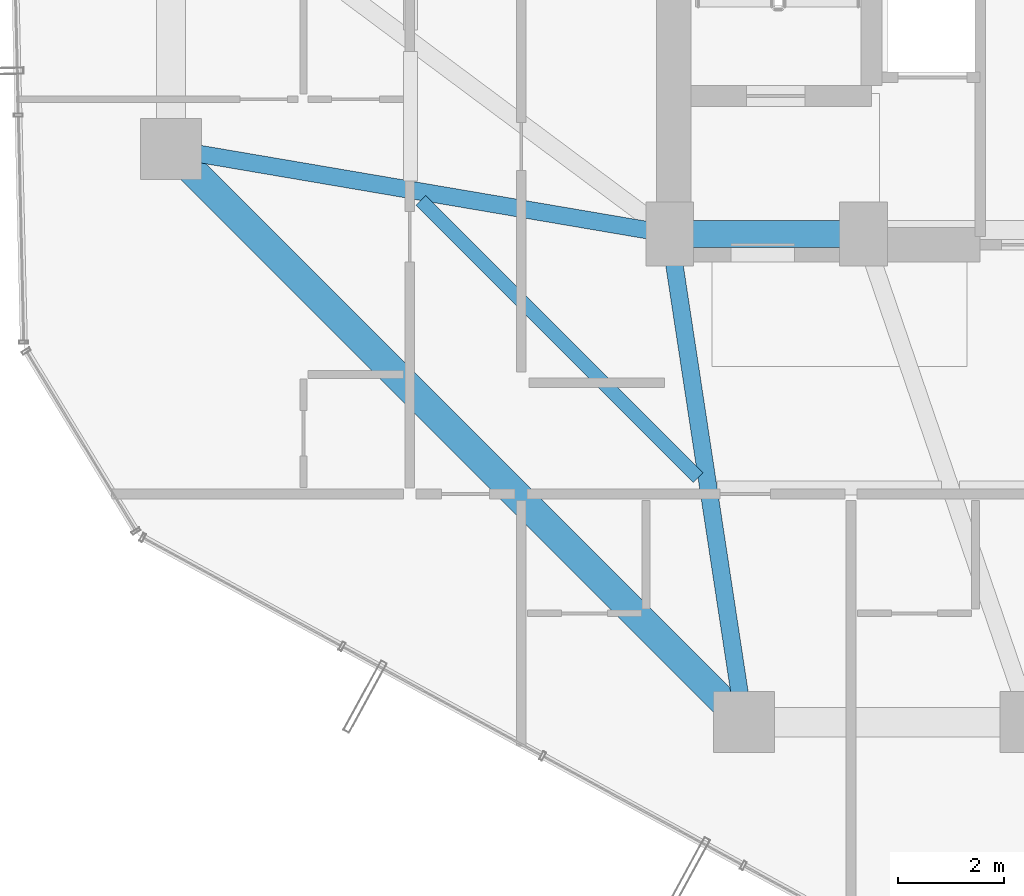
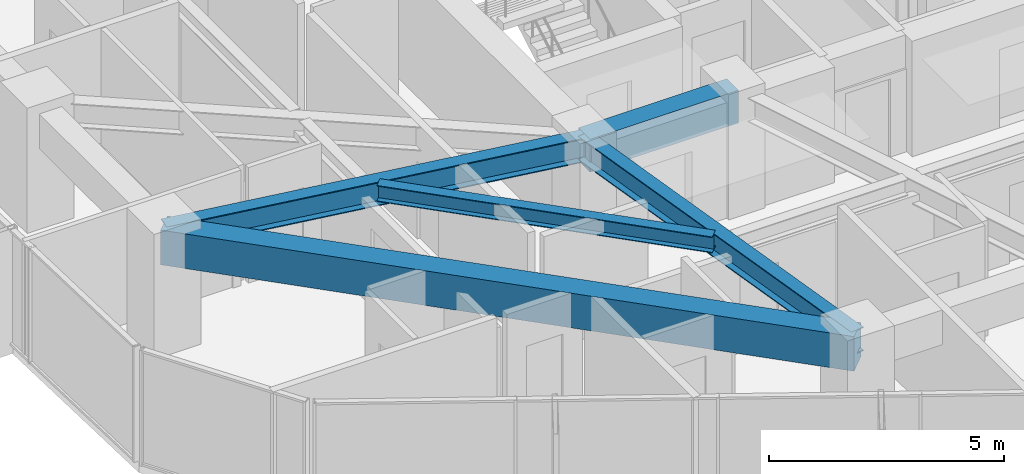
# One storey, part 5 of 31: 5 beams.
"""IFC4 building model written with IfcOpenShell, lengths in metres."""

from ifc_helpers import new_model, si_unit, direction, frame, origin, origin_2d, place, context, subcontext, project, spatial, rectangle, i_section, extrude, material, material_profile, profile_set, type_object, element, save


model = new_model("IFC4")

# Units and contexts
model_context = context("Model", 3, precision=1e-05, world=origin(), true_north=direction((0.0, 1.0)))
body_context = subcontext(model_context, "Body", "Model", "MODEL_VIEW")
ifc_project = project(units=[si_unit("LENGTHUNIT", "METRE"), si_unit("AREAUNIT", "SQUARE_METRE"), si_unit("VOLUMEUNIT", "CUBIC_METRE"), si_unit("PLANEANGLEUNIT", "RADIAN"), si_unit("MASSUNIT", "GRAM", prefix="KILO")], contexts=[model_context])

# Site, building, storey
site_placement = place(None, origin())
site = spatial("IfcSite", under=ifc_project, at=site_placement, CompositionType="ELEMENT")
building_placement = place(site_placement, origin())
building = spatial("IfcBuilding", under=site, at=building_placement, Name="Veraguas Prism Commons", CompositionType="ELEMENT")
storey_placement = place(building_placement, frame((0.0, 0.0, 132.75)))
storey = spatial("IfcBuildingStorey", under=building, at=storey_placement, Name="L37", CompositionType="ELEMENT", Elevation=132.75)

# Beams
ifc_material_1 = material(Name="Concrete C50/60", Category="concrete")
ifc_material_profile_1 = material_profile(ifc_material_1, rectangle(XDim=0.5, YDim=0.85009765625, at=origin_2d()), Name="RC500X850")
ifc_profile_set_1 = profile_set([ifc_material_profile_1], Name="Concrete C50/60")
beam_type_1 = type_object("IfcBeamType", Name="Core Coupling Beam RC 500x850", PredefinedType="BEAM", material=ifc_profile_set_1)
beam_1_placement = place(storey_placement, frame((17.199951171875, 17.0, 2.574951171875), z_axis=(1.0, 0.0, 0.0), x_axis=(0.0, 1.0, 0.0)))
element("IfcBeam", 1, at=beam_1_placement, inside=storey, type_object=beam_type_1, Name="Core Coupling Beam L37-CRS1", PredefinedType="BEAM", context=body_context, shape_type="SweptSolid", body=[
    extrude(rectangle(XDim=0.5, YDim=0.85009765625, at=origin_2d()), origin(), (0.0, 0.0, 1.0), 3.650146484375),
])
ifc_material_2 = material(Name="Steel ASTM A992 Grade 50", Category="steel")
ifc_material_profile_2 = material_profile(ifc_material_2, i_section(OverallWidth=0.260986328125, OverallDepth=0.419921875, WebThickness=0.01171875, FlangeThickness=0.019287109375, at=origin_2d()), Name="W410X114")
ifc_profile_set_2 = profile_set([ifc_material_profile_2], Name="Steel ASTM A992 Grade 50")
beam_type_2 = type_object("IfcBeamType", Name="Lower Floor Joist W410x114", PredefinedType="JOIST", material=ifc_profile_set_2)
beam_2_placement = place(storey_placement, frame((12.510009765625, 17.634033203125, 2.7900390625), z_axis=(0.707090260193, -0.707123301794, 0.0), x_axis=(0.707123301794, 0.707090260193, 0.0)))
element("IfcBeam", 2, at=beam_2_placement, inside=storey, type_object=beam_type_2, Name="Composite Floor Joist L37-JS09", PredefinedType="JOIST", context=body_context, shape_type="SweptSolid", body=[
    extrude(i_section(OverallWidth=0.260986328125, OverallDepth=0.419921875, WebThickness=0.01171875, FlangeThickness=0.019287109375, at=origin_2d()), origin(), (0.0, 0.0, 1.0), 7.388916015625),
])
ifc_material_profile_3 = material_profile(ifc_material_1, rectangle(XDim=0.550048828125, YDim=0.89990234375, at=origin_2d()), Name="RC550X900")
ifc_profile_set_3 = profile_set([ifc_material_profile_3], Name="Concrete C50/60")
beam_type_3 = type_object("IfcBeamType", Name="Perimeter Spandrel Lower RC 550x900", PredefinedType="SPANDREL", material=ifc_profile_set_3)
beam_3_placement = place(storey_placement, frame((7.800048828125, 18.60009765625, 2.550048828125), z_axis=(0.707106781187, -0.707106781187, 0.0), x_axis=(0.707106781187, 0.707106781187, 0.0)))
element("IfcBeam", 3, at=beam_3_placement, inside=storey, type_object=beam_type_3, Name="Perimeter Spandrel Beam L37-SP09", PredefinedType="SPANDREL", context=body_context, shape_type="SweptSolid", body=[
    extrude(rectangle(XDim=0.550048828125, YDim=0.89990234375, at=origin_2d()), origin(), (0.0, 0.0, 1.0), 15.273681640625),
])
ifc_material_profile_4 = material_profile(ifc_material_2, i_section(OverallWidth=0.327880859375, OverallDepth=0.6220703125, WebThickness=0.015380859375, FlangeThickness=0.0244140625, at=origin_2d()), Name="W610X195")
ifc_profile_set_4 = profile_set([ifc_material_profile_4], Name="Steel ASTM A992 Grade 50")
beam_type_4 = type_object("IfcBeamType", Name="Zone 2 Radial Girder W610x195", PredefinedType="BEAM", material=ifc_profile_set_4)
beam_4_placement = place(storey_placement, frame((7.800048828125, 18.60009765625, 2.68896484375), z_axis=(0.985819187151, -0.1678109956, 0.0), x_axis=(0.1678109956, 0.985819187151, 0.0)))
element("IfcBeam", 4, at=beam_4_placement, inside=storey, type_object=beam_type_4, Name="Radial Floor Girder L37-RD09", PredefinedType="BEAM", context=body_context, shape_type="SweptSolid", body=[
    extrude(i_section(OverallWidth=0.327880859375, OverallDepth=0.6220703125, WebThickness=0.015380859375, FlangeThickness=0.0244140625, at=origin_2d()), origin(), (0.0, 0.0, 1.0), 9.53515625),
])
beam_5_placement = place(storey_placement, frame((18.60009765625, 7.800048828125, 2.68896484375), z_axis=(-0.150458162136, 0.98861637729, 0.0), x_axis=(-0.98861637729, -0.150458162136, 0.0)))
element("IfcBeam", 5, at=beam_5_placement, inside=storey, type_object=beam_type_4, Name="Radial Floor Girder L37-RD10", PredefinedType="BEAM", context=body_context, shape_type="SweptSolid", body=[
    extrude(i_section(OverallWidth=0.327880859375, OverallDepth=0.6220703125, WebThickness=0.015380859375, FlangeThickness=0.0244140625, at=origin_2d()), origin(), (0.0, 0.0, 1.0), 9.305908203125),
])

save(model, "model.ifc")
